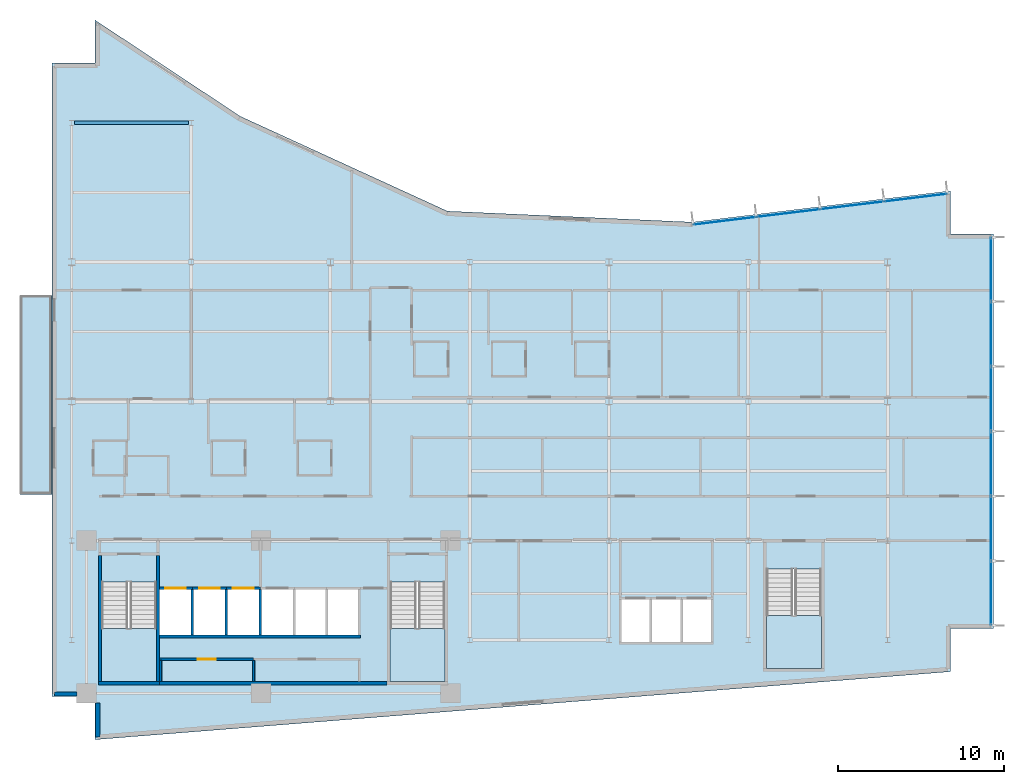
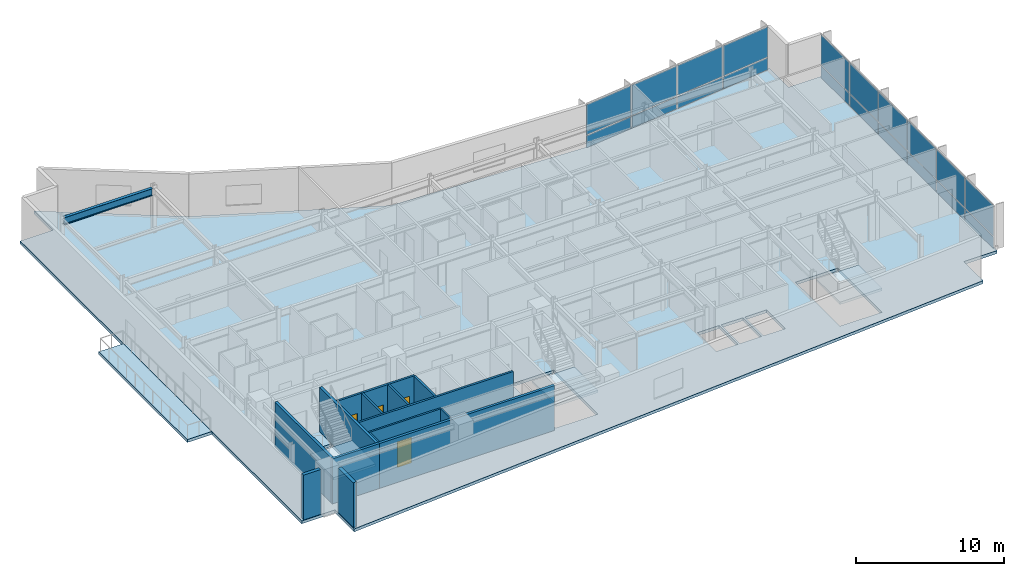
# One storey, part 9 of 18: 20 plates, 16 walls, 5 slabs, 4 doors, 1 beam, 4 openings, 5 elements without a shape of their own.
"""IFC4 building model written with IfcOpenShell, lengths in metres."""

from ifc_helpers import new_model, si_unit, direction, frame, frame_2d, origin, origin_2d, place, context, subcontext, project, spatial, polyline, rectangle, i_section, outline, extrude, material, layer, layer_set, material_profile, profile_set, type_object, element, fill, aggregate, save


model = new_model("IFC4")

# Units and contexts
model_context = context("Model", 3, precision=1e-05, world=origin(), true_north=direction((0.0, 1.0)))
body_context = subcontext(model_context, "Body", "Model", "MODEL_VIEW")
ifc_project = project(units=[si_unit("LENGTHUNIT", "METRE"), si_unit("AREAUNIT", "SQUARE_METRE"), si_unit("VOLUMEUNIT", "CUBIC_METRE"), si_unit("PLANEANGLEUNIT", "RADIAN"), si_unit("MASSUNIT", "GRAM", prefix="KILO")], contexts=[model_context])

# Site, building, storey
site_placement = place(None, origin())
site = spatial("IfcSite", under=ifc_project, at=site_placement, CompositionType="ELEMENT")
building_placement = place(site_placement, origin())
building = spatial("IfcBuilding", under=site, at=building_placement, Name="Varnakote Quay Hospital", CompositionType="ELEMENT")
storey_placement = place(building_placement, frame((0.0, 0.0, 123.10009765625)))
storey = spatial("IfcBuildingStorey", under=building, at=storey_placement, Name="L30", CompositionType="ELEMENT", Elevation=123.10009765625)

# Beam
ifc_material_1 = material(Name="Structural steel AS/NZS 3679.1 Grade 350 L0 (fy 340 MPa)", Category="steel")
ifc_material_profile = material_profile(ifc_material_1, i_section(OverallWidth=0.22802734375, OverallDepth=0.60205078125, WebThickness=0.010498046875, FlangeThickness=0.014892578125, FilletRadius=0.013916015625, at=origin_2d()), Name="610UB101")
ifc_profile_set = profile_set([ifc_material_profile], Name="Structural steel AS/NZS 3679.1 Grade 350 L0 (fy 340 MPa)")
beam_type = type_object("IfcBeamType", Name="BM-STL-610UB101", PredefinedType="BEAM", material=ifc_profile_set)
beam_placement = place(storey_placement, frame((1.3544921875, 37.199951171875, 3.408935546875), z_axis=(1.0, 0.0, 0.0), x_axis=(0.0, 1.0, 0.0)))
element("IfcBeam", 1, at=beam_placement, inside=storey, type_object=beam_type, Name="L30 Primary Floor Beam", PredefinedType="BEAM", context=body_context, shape_type="SweptSolid", body=[
    extrude(i_section(OverallWidth=0.22802734375, OverallDepth=0.60205078125, WebThickness=0.010498046875, FlangeThickness=0.014892578125, FilletRadius=0.013916015625, at=origin_2d()), origin(), (0.0, 0.0, 1.0), 6.89111328125),
])

# Curtain wall, plates
ifc_material_2 = material(Name="Anodised aluminium 6063-T6 Bronze", Category="aluminium")
ifc_layer_1 = layer(ifc_material_2, 0.205078125)
ifc_layer_set_1 = layer_set([ifc_layer_1], Name="Anodised aluminium 6063-T6 Bronze")
curtain_wall_type = type_object("IfcCurtainWallType", Name="CW-SYS-3", PredefinedType="NOTDEFINED", material=ifc_layer_set_1)
curtain_wall_1_placement = place(storey_placement, origin())
curtain_wall_1 = element("IfcCurtainWall", 2, at=curtain_wall_1_placement, inside=storey, type_object=curtain_wall_type, Name="L30 Unitised Bronze Curtain Wall 1", PredefinedType="NOTDEFINED")
ifc_material_3 = material(Name="Double-glazed low-E solar glass", Category="glass")
ifc_layer_2 = layer(ifc_material_3, 0.028076171875)
ifc_layer_set_2 = layer_set([ifc_layer_2], Name="Double-glazed low-E solar glass")
plate_type = type_object("IfcPlateType", Name="CW-PNL-GLZ-28", PredefinedType="CURTAIN_PANEL", material=ifc_layer_set_2)
plate_1_placement = place(storey_placement, frame((56.639892578125, 8.83544921875, 0.07470703125), z_axis=(0.0, 0.0, 1.0), x_axis=(0.0, 1.0, 0.0)))
plate_1 = element("IfcPlate", 3, at=plate_1_placement, type_object=plate_type, Name="-3-L30-1 panel 1.1", PredefinedType="CURTAIN_PANEL", context=body_context, shape_type="SweptSolid", body=[
    extrude(rectangle(XDim=3.80078125, YDim=0.028076171875, at=origin_2d()), origin(), (0.0, 0.0, 1.0), 0.987548828125),
])
plate_2_placement = place(storey_placement, frame((56.639892578125, 8.83544921875, 1.137451171875), z_axis=(0.0, 0.0, 1.0), x_axis=(0.0, 1.0, 0.0)))
plate_2 = element("IfcPlate", 4, at=plate_2_placement, type_object=plate_type, Name="-3-L30-1 panel 1.2", PredefinedType="CURTAIN_PANEL", context=body_context, shape_type="SweptSolid", body=[
    extrude(rectangle(XDim=3.80078125, YDim=0.028076171875, at=origin_2d()), origin(), (0.0, 0.0, 1.0), 2.49755859375),
])
plate_3_placement = place(storey_placement, frame((56.639892578125, 12.72998046875, 0.07470703125), z_axis=(0.0, 0.0, 1.0), x_axis=(0.0, 1.0, 0.0)))
plate_3 = element("IfcPlate", 5, at=plate_3_placement, type_object=plate_type, Name="-3-L30-1 panel 2.1", PredefinedType="CURTAIN_PANEL", context=body_context, shape_type="SweptSolid", body=[
    extrude(rectangle(XDim=3.83837890625, YDim=0.028076171875, at=origin_2d()), origin(), (0.0, 0.0, 1.0), 0.987548828125),
])
plate_4_placement = place(storey_placement, frame((56.639892578125, 12.72998046875, 1.137451171875), z_axis=(0.0, 0.0, 1.0), x_axis=(0.0, 1.0, 0.0)))
plate_4 = element("IfcPlate", 6, at=plate_4_placement, type_object=plate_type, Name="-3-L30-1 panel 2.2", PredefinedType="CURTAIN_PANEL", context=body_context, shape_type="SweptSolid", body=[
    extrude(rectangle(XDim=3.83837890625, YDim=0.028076171875, at=origin_2d()), origin(), (0.0, 0.0, 1.0), 2.49755859375),
])
plate_5_placement = place(storey_placement, frame((56.639892578125, 16.643310546875, 0.07470703125), z_axis=(0.0, 0.0, 1.0), x_axis=(0.0, 1.0, 0.0)))
plate_5 = element("IfcPlate", 7, at=plate_5_placement, type_object=plate_type, Name="-3-L30-1 panel 3.1", PredefinedType="CURTAIN_PANEL", context=body_context, shape_type="SweptSolid", body=[
    extrude(rectangle(XDim=3.83837890625, YDim=0.028076171875, at=origin_2d()), origin(), (0.0, 0.0, 1.0), 0.987548828125),
])
plate_6_placement = place(storey_placement, frame((56.639892578125, 16.643310546875, 1.137451171875), z_axis=(0.0, 0.0, 1.0), x_axis=(0.0, 1.0, 0.0)))
plate_6 = element("IfcPlate", 8, at=plate_6_placement, type_object=plate_type, Name="-3-L30-1 panel 3.2", PredefinedType="CURTAIN_PANEL", context=body_context, shape_type="SweptSolid", body=[
    extrude(rectangle(XDim=3.83837890625, YDim=0.028076171875, at=origin_2d()), origin(), (0.0, 0.0, 1.0), 2.49755859375),
])
plate_7_placement = place(storey_placement, frame((56.639892578125, 20.556640625, 0.07470703125), z_axis=(0.0, 0.0, 1.0), x_axis=(0.0, 1.0, 0.0)))
plate_7 = element("IfcPlate", 9, at=plate_7_placement, type_object=plate_type, Name="-3-L30-1 panel 4.1", PredefinedType="CURTAIN_PANEL", context=body_context, shape_type="SweptSolid", body=[
    extrude(rectangle(XDim=3.83837890625, YDim=0.028076171875, at=origin_2d()), origin(), (0.0, 0.0, 1.0), 0.987548828125),
])
plate_8_placement = place(storey_placement, frame((56.639892578125, 20.556640625, 1.137451171875), z_axis=(0.0, 0.0, 1.0), x_axis=(0.0, 1.0, 0.0)))
plate_8 = element("IfcPlate", 10, at=plate_8_placement, type_object=plate_type, Name="-3-L30-1 panel 4.2", PredefinedType="CURTAIN_PANEL", context=body_context, shape_type="SweptSolid", body=[
    extrude(rectangle(XDim=3.83837890625, YDim=0.028076171875, at=origin_2d()), origin(), (0.0, 0.0, 1.0), 2.49755859375),
])
plate_9_placement = place(storey_placement, frame((56.639892578125, 24.469970703125, 0.07470703125), z_axis=(0.0, 0.0, 1.0), x_axis=(0.0, 1.0, 0.0)))
plate_9 = element("IfcPlate", 11, at=plate_9_placement, type_object=plate_type, Name="-3-L30-1 panel 5.1", PredefinedType="CURTAIN_PANEL", context=body_context, shape_type="SweptSolid", body=[
    extrude(rectangle(XDim=3.83837890625, YDim=0.028076171875, at=origin_2d()), origin(), (0.0, 0.0, 1.0), 0.987548828125),
])
plate_10_placement = place(storey_placement, frame((56.639892578125, 24.469970703125, 1.137451171875), z_axis=(0.0, 0.0, 1.0), x_axis=(0.0, 1.0, 0.0)))
plate_10 = element("IfcPlate", 12, at=plate_10_placement, type_object=plate_type, Name="-3-L30-1 panel 5.2", PredefinedType="CURTAIN_PANEL", context=body_context, shape_type="SweptSolid", body=[
    extrude(rectangle(XDim=3.83837890625, YDim=0.028076171875, at=origin_2d()), origin(), (0.0, 0.0, 1.0), 2.49755859375),
])
plate_11_placement = place(storey_placement, frame((56.639892578125, 28.364501953125, 0.07470703125), z_axis=(0.0, 0.0, 1.0), x_axis=(0.0, 1.0, 0.0)))
plate_11 = element("IfcPlate", 13, at=plate_11_placement, type_object=plate_type, Name="-3-L30-1 panel 6.1", PredefinedType="CURTAIN_PANEL", context=body_context, shape_type="SweptSolid", body=[
    extrude(rectangle(XDim=3.80078125, YDim=0.028076171875, at=origin_2d()), origin(), (0.0, 0.0, 1.0), 0.987548828125),
])
plate_12_placement = place(storey_placement, frame((56.639892578125, 28.364501953125, 1.137451171875), z_axis=(0.0, 0.0, 1.0), x_axis=(0.0, 1.0, 0.0)))
plate_12 = element("IfcPlate", 14, at=plate_12_placement, type_object=plate_type, Name="-3-L30-1 panel 6.2", PredefinedType="CURTAIN_PANEL", context=body_context, shape_type="SweptSolid", body=[
    extrude(rectangle(XDim=3.80078125, YDim=0.028076171875, at=origin_2d()), origin(), (0.0, 0.0, 1.0), 2.49755859375),
])
aggregate(curtain_wall_1, [plate_1, plate_2, plate_3, plate_4, plate_5, plate_6, plate_7, plate_8, plate_9, plate_10, plate_11, plate_12])

curtain_wall_2_placement = place(storey_placement, origin())
curtain_wall_2 = element("IfcCurtainWall", 15, at=curtain_wall_2_placement, inside=storey, type_object=curtain_wall_type, Name="L30 Unitised Bronze Curtain Wall 2", PredefinedType="NOTDEFINED")
plate_13_placement = place(storey_placement, frame((52.09521484375, 32.68359375, 0.07470703125), z_axis=(0.0, 0.0, 1.0), x_axis=(-0.992734295067, -0.12032713492, 0.0)))
plate_13 = element("IfcPlate", 16, at=plate_13_placement, type_object=plate_type, Name="-3-L30-2 panel 1.1", PredefinedType="CURTAIN_PANEL", context=body_context, shape_type="SweptSolid", body=[
    extrude(rectangle(XDim=3.76806640625, YDim=0.028076171875, at=origin_2d()), origin(), (0.0, 0.0, 1.0), 0.987548828125),
])
plate_14_placement = place(storey_placement, frame((52.09521484375, 32.68359375, 1.137451171875), z_axis=(0.0, 0.0, 1.0), x_axis=(-0.992734295067, -0.12032713492, 0.0)))
plate_14 = element("IfcPlate", 17, at=plate_14_placement, type_object=plate_type, Name="-3-L30-2 panel 1.2", PredefinedType="CURTAIN_PANEL", context=body_context, shape_type="SweptSolid", body=[
    extrude(rectangle(XDim=3.76806640625, YDim=0.028076171875, at=origin_2d()), origin(), (0.0, 0.0, 1.0), 2.49755859375),
])
plate_15_placement = place(storey_placement, frame((48.26123046875, 32.218994140625, 0.07470703125), z_axis=(0.0, 0.0, 1.0), x_axis=(-0.992734295067, -0.12032713492, 0.0)))
plate_15 = element("IfcPlate", 18, at=plate_15_placement, type_object=plate_type, Name="-3-L30-2 panel 2.1", PredefinedType="CURTAIN_PANEL", context=body_context, shape_type="SweptSolid", body=[
    extrude(rectangle(XDim=3.8056640625, YDim=0.028076171875, at=origin_2d()), origin(), (0.0, 0.0, 1.0), 0.987548828125),
])
plate_16_placement = place(storey_placement, frame((48.26123046875, 32.218994140625, 1.137451171875), z_axis=(0.0, 0.0, 1.0), x_axis=(-0.992734295067, -0.12032713492, 0.0)))
plate_16 = element("IfcPlate", 19, at=plate_16_placement, type_object=plate_type, Name="-3-L30-2 panel 2.2", PredefinedType="CURTAIN_PANEL", context=body_context, shape_type="SweptSolid", body=[
    extrude(rectangle(XDim=3.8056640625, YDim=0.028076171875, at=origin_2d()), origin(), (0.0, 0.0, 1.0), 2.49755859375),
])
plate_17_placement = place(storey_placement, frame((44.40869140625, 31.751953125, 0.07470703125), z_axis=(0.0, 0.0, 1.0), x_axis=(-0.992734295067, -0.12032713492, 0.0)))
plate_17 = element("IfcPlate", 20, at=plate_17_placement, type_object=plate_type, Name="-3-L30-2 panel 3.1", PredefinedType="CURTAIN_PANEL", context=body_context, shape_type="SweptSolid", body=[
    extrude(rectangle(XDim=3.8056640625, YDim=0.028076171875, at=origin_2d()), origin(), (0.0, 0.0, 1.0), 0.987548828125),
])
plate_18_placement = place(storey_placement, frame((44.40869140625, 31.751953125, 1.137451171875), z_axis=(0.0, 0.0, 1.0), x_axis=(-0.992734295067, -0.12032713492, 0.0)))
plate_18 = element("IfcPlate", 21, at=plate_18_placement, type_object=plate_type, Name="-3-L30-2 panel 3.2", PredefinedType="CURTAIN_PANEL", context=body_context, shape_type="SweptSolid", body=[
    extrude(rectangle(XDim=3.8056640625, YDim=0.028076171875, at=origin_2d()), origin(), (0.0, 0.0, 1.0), 2.49755859375),
])
plate_19_placement = place(storey_placement, frame((40.574951171875, 31.287353515625, 0.07470703125), z_axis=(0.0, 0.0, 1.0), x_axis=(-0.992734295067, -0.12032713492, 0.0)))
plate_19 = element("IfcPlate", 22, at=plate_19_placement, type_object=plate_type, Name="-3-L30-2 panel 4.1", PredefinedType="CURTAIN_PANEL", context=body_context, shape_type="SweptSolid", body=[
    extrude(rectangle(XDim=3.76806640625, YDim=0.028076171875, at=origin_2d()), origin(), (0.0, 0.0, 1.0), 0.987548828125),
])
plate_20_placement = place(storey_placement, frame((40.574951171875, 31.287353515625, 1.137451171875), z_axis=(0.0, 0.0, 1.0), x_axis=(-0.992734295067, -0.12032713492, 0.0)))
plate_20 = element("IfcPlate", 23, at=plate_20_placement, type_object=plate_type, Name="-3-L30-2 panel 4.2", PredefinedType="CURTAIN_PANEL", context=body_context, shape_type="SweptSolid", body=[
    extrude(rectangle(XDim=3.76806640625, YDim=0.028076171875, at=origin_2d()), origin(), (0.0, 0.0, 1.0), 2.49755859375),
])
aggregate(curtain_wall_2, [plate_13, plate_14, plate_15, plate_16, plate_17, plate_18, plate_19, plate_20])

# Stair, slab
ifc_material_4 = material(Name="Concrete N40 (f'c 40 MPa)", Category="concrete")
stair_type = type_object("IfcStairType", Name="STR-CORE-1580", PredefinedType="HALF_TURN_STAIR", material=ifc_material_4)
stair_1_placement = place(storey_placement, origin())
stair_1 = element("IfcStair", 24, at=stair_1_placement, inside=storey, type_object=stair_type, Name="L30 Fire-Isolated Exit Stair ST-01", PredefinedType="HALF_TURN_STAIR")
ifc_material_5 = material(Name="Concrete N40 (f'c 40 MPa)", Category="concrete")
ifc_layer_3 = layer(ifc_material_5, 0.199951171875)
ifc_layer_set_3 = layer_set([ifc_layer_3], Name="Concrete N40 (f'c 40 MPa)")
slab_type_1 = type_object("IfcSlabType", Name="SLB-STAIR-LND-200", PredefinedType="LANDING", material=ifc_layer_set_3)
slab_1_placement = place(storey_placement, frame((0.0, 0.0, 1.77490234375)))
slab_1 = element("IfcSlab", 25, at=slab_1_placement, type_object=slab_type_1, Name="ST-01 landing 1", PredefinedType="LANDING", context=body_context, shape_type="SweptSolid", body=[
    extrude(outline(polyline([(3.0, 6.699951171875), (3.0, 3.5), (6.300048828125, 3.5), (6.300048828125, 6.699951171875), (3.0, 6.699951171875)])), origin(), (0.0, 0.0, 1.0), 0.199951171875),
])
aggregate(stair_1, [slab_1])

stair_2_placement = place(storey_placement, origin())
stair_2 = element("IfcStair", 26, at=stair_2_placement, inside=storey, type_object=stair_type, Name="L30 Fire-Isolated Exit Stair ST-02", PredefinedType="HALF_TURN_STAIR")
slab_2_placement = place(storey_placement, frame((0.0, 0.0, 1.77490234375)))
slab_2 = element("IfcSlab", 27, at=slab_2_placement, type_object=slab_type_1, Name="ST-02 landing 1", PredefinedType="LANDING", context=body_context, shape_type="SweptSolid", body=[
    extrude(outline(polyline([(20.39990234375, 6.699951171875), (20.39990234375, 3.5), (23.699951171875, 3.5), (23.699951171875, 6.699951171875), (20.39990234375, 6.699951171875)])), origin(), (0.0, 0.0, 1.0), 0.199951171875),
])
aggregate(stair_2, [slab_2])

stair_3_placement = place(storey_placement, origin())
stair_3 = element("IfcStair", 28, at=stair_3_placement, inside=storey, type_object=stair_type, Name="L30 Fire-Isolated Exit Stair ST-03", PredefinedType="HALF_TURN_STAIR")
slab_3_placement = place(storey_placement, frame((0.0, 0.0, 1.77490234375)))
slab_3 = element("IfcSlab", 29, at=slab_3_placement, type_object=slab_type_1, Name="ST-03 landing 1", PredefinedType="LANDING", context=body_context, shape_type="SweptSolid", body=[
    extrude(outline(polyline([(43.10009765625, 7.5), (43.10009765625, 4.300048828125), (46.39990234375, 4.300048828125), (46.39990234375, 7.5), (43.10009765625, 7.5)])), origin(), (0.0, 0.0, 1.0), 0.199951171875),
])
aggregate(stair_3, [slab_3])

# Slabs
ifc_material_6 = material(Name="Concrete N50 (f'c 50 MPa)", Category="concrete")
ifc_layer_4 = layer(ifc_material_6, 0.239990234375)
ifc_layer_set_4 = layer_set([ifc_layer_4], Name="Concrete N50 (f'c 50 MPa)")
slab_type_2 = type_object("IfcSlabType", Name="SLB-TERR-200", PredefinedType="FLOOR", material=ifc_layer_set_4)
slab_4_placement = place(storey_placement, frame((0.0, 0.0, -0.239990234375)))
element("IfcSlab", 30, at=slab_4_placement, inside=storey, type_object=slab_type_2, Name="L30 Waterfront Healing Terrace Slab", PredefinedType="FLOOR", context=body_context, shape_type="SweptSolid", body=[
    extrude(outline(polyline([(0.00390625, 14.800048828125), (0.00390625, 26.800048828125), (-1.919921875, 26.800048828125), (-1.919921875, 14.800048828125), (0.00390625, 14.800048828125)])), origin(), (0.0, 0.0, 1.0), 0.239990234375),
])
ifc_material_7 = material(Name="Concrete N50 (f'c 50 MPa)", Category="concrete")
ifc_layer_5 = layer(ifc_material_7, 0.239990234375)
ifc_layer_set_5 = layer_set([ifc_layer_5], Name="Concrete N50 (f'c 50 MPa)")
slab_type_3 = type_object("IfcSlabType", Name="SLB-WARD-200", PredefinedType="FLOOR", material=ifc_layer_set_5)
slab_5_placement = place(storey_placement, frame((0.0, 0.0, -0.239990234375)))
element("IfcSlab", 31, at=slab_5_placement, inside=storey, type_object=slab_type_3, Name="L30 Primary Floor Slab", PredefinedType="FLOOR", context=body_context, shape_type="SweptSolid", body=[
    extrude(outline(polyline([(0.0, 2.60009765625), (2.60009765625, 2.60009765625), (2.60009765625, 0.0), (54.199951171875, 4.10009765625), (54.199951171875, 6.699951171875), (56.800048828125, 6.699951171875), (56.800048828125, 30.5), (54.199951171875, 30.5), (54.199951171875, 33.10009765625), (38.6240234375, 31.2119140625), (23.85595703125, 31.8740234375), (11.360107421875, 37.595947265625), (2.60009765625, 43.39990234375), (2.60009765625, 40.800048828125), (0.0, 40.800048828125), (0.0, 2.60009765625)]), holes=[polyline([(3.0, 3.5), (6.300048828125, 3.5), (6.300048828125, 9.49951171875), (3.0, 9.49951171875), (3.0, 3.5)]), polyline([(20.39990234375, 3.5), (23.699951171875, 3.5), (23.699951171875, 9.49951171875), (20.39990234375, 9.49951171875), (20.39990234375, 3.5)]), polyline([(43.10009765625, 4.300048828125), (46.39990234375, 4.300048828125), (46.39990234375, 10.29931640625), (43.10009765625, 10.29931640625), (43.10009765625, 4.300048828125)]), polyline([(6.5, 6.300048828125), (8.39990234375, 6.300048828125), (8.39990234375, 9.050048828125), (6.5, 9.050048828125), (6.5, 6.300048828125)]), polyline([(8.550048828125, 6.300048828125), (10.449951171875, 6.300048828125), (10.449951171875, 9.050048828125), (8.550048828125, 9.050048828125), (8.550048828125, 6.300048828125)]), polyline([(10.60009765625, 6.300048828125), (12.5, 6.300048828125), (12.5, 9.050048828125), (10.60009765625, 9.050048828125), (10.60009765625, 6.300048828125)]), polyline([(12.64990234375, 6.300048828125), (14.550048828125, 6.300048828125), (14.550048828125, 9.050048828125), (12.64990234375, 9.050048828125), (12.64990234375, 6.300048828125)]), polyline([(14.699951171875, 6.300048828125), (16.5, 6.300048828125), (16.5, 9.050048828125), (14.699951171875, 9.050048828125), (14.699951171875, 6.300048828125)]), polyline([(16.64990234375, 6.300048828125), (18.449951171875, 6.300048828125), (18.449951171875, 9.050048828125), (16.64990234375, 9.050048828125), (16.64990234375, 6.300048828125)]), polyline([(34.35009765625, 5.89990234375), (36.050048828125, 5.89990234375), (36.050048828125, 8.449951171875), (34.35009765625, 8.449951171875), (34.35009765625, 5.89990234375)]), polyline([(36.199951171875, 5.89990234375), (37.89990234375, 5.89990234375), (37.89990234375, 8.449951171875), (36.199951171875, 8.449951171875), (36.199951171875, 5.89990234375)]), polyline([(38.050048828125, 5.89990234375), (39.75, 5.89990234375), (39.75, 8.449951171875), (38.050048828125, 8.449951171875), (38.050048828125, 5.89990234375)])]), origin(), (0.0, 0.0, 1.0), 0.239990234375),
])

# Walls
ifc_material_8 = material(Name="Concrete N65 (f'c 65 MPa)", Category="concrete")
ifc_layer_6 = layer(ifc_material_8, 0.199951171875)
ifc_layer_set_6 = layer_set([ifc_layer_6], Name="Concrete N65 (f'c 65 MPa)")
wall_type_1 = type_object("IfcWallType", Name="WL-CORE-N65-200", PredefinedType="SHEAR", material=ifc_layer_set_6)
wall_1_placement = place(storey_placement, frame((6.5, 3.39990234375, 0.0), z_axis=(0.0, 0.0, 1.0), x_axis=(1.0, 0.0, 0.0)))
element("IfcWall", 32, at=wall_1_placement, inside=storey, type_object=wall_type_1, Name="L30 Rear Core South Shear Wall", PredefinedType="SHEAR", context=body_context, shape_type="SweptSolid", body=[
    extrude(rectangle(XDim=13.699951171875, YDim=0.199951171875, at=frame_2d((6.85009765625, 0.0))), origin(), (0.0, 0.0, 1.0), 3.7099609375),
])
ifc_material_9 = material(Name="Precast concrete N50 (f'c 50 MPa)", Category="concrete")
ifc_layer_7 = layer(ifc_material_9, 0.260009765625)
ifc_layer_set_7 = layer_set([ifc_layer_7], Name="Precast concrete N50 (f'c 50 MPa)")
wall_type_2 = type_object("IfcWallType", Name="WL-EXT-BRICK-260", PredefinedType="STANDARD", material=ifc_layer_set_7)
wall_2_placement = place(storey_placement, frame((2.760009765625, 2.215087890625, 0.0), z_axis=(0.0, 0.0, 1.0), x_axis=(0.0, -1.0, 0.0)))
element("IfcWall", 33, at=wall_2_placement, inside=storey, type_object=wall_type_2, Name="L30 Brick-Faced Precast Exterior Wall", PredefinedType="STANDARD", context=body_context, shape_type="SweptSolid", body=[
    extrude(rectangle(XDim=2.0419921875, YDim=0.260009765625, at=frame_2d((1.02099609375, 0.0))), origin(), (0.0, 0.0, 1.0), 3.7099609375),
])
wall_3_placement = place(storey_placement, frame((0.159912109375, 2.760009765625, 0.0), z_axis=(0.0, 0.0, 1.0), x_axis=(1.0, 0.0, 0.0)))
element("IfcWall", 34, at=wall_3_placement, inside=storey, type_object=wall_type_2, Name="L30 Brick-Faced Precast Exterior Wall", PredefinedType="STANDARD", context=body_context, shape_type="SweptSolid", body=[
    extrude(rectangle(XDim=1.35498046875, YDim=0.260009765625, at=frame_2d((0.677490234375, 0.0))), origin(), (0.0, 0.0, 1.0), 3.7099609375),
])
ifc_material_10 = material(Name="Concrete N50 (f'c 50 MPa)", Category="concrete")
ifc_layer_8 = layer(ifc_material_10, 0.14990234375)
ifc_layer_set_8 = layer_set([ifc_layer_8], Name="Concrete N50 (f'c 50 MPa)")
wall_type_3 = type_object("IfcWallType", Name="WL-SHAFT-N50-150", PredefinedType="SHEAR", material=ifc_layer_set_8)
for number, where, z_axis, x_axis, name in (
    (35, (8.47509765625, 6.300048828125, 0.0), (0.0, 0.0, 1.0), (0.0, 1.0, 0.0), "L30 LF-FF1 Hoistway Divider Wall"),
    (36, (10.52490234375, 6.300048828125, 0.0), (0.0, 0.0, 1.0), (0.0, 1.0, 0.0), "L30 LF-FF2 Hoistway Divider Wall"),
    (37, (12.574951171875, 6.300048828125, 0.0), (0.0, 0.0, 1.0), (0.0, 1.0, 0.0), "L30 LF-SV1 Hoistway Divider Wall"),
):
    element("IfcWall", number, at=place(storey_placement, frame(where, z_axis=z_axis, x_axis=x_axis)), inside=storey, type_object=wall_type_3, Name=name, PredefinedType="SHEAR", context=body_context, shape_type="SweptSolid", body=[
        extrude(rectangle(XDim=2.75, YDim=0.14990234375, at=frame_2d((1.375, 0.0))), origin(), (0.0, 0.0, 1.0), 3.7099609375),
    ])
ifc_material_11 = material(Name="Concrete N50 (f'c 50 MPa)", Category="concrete")
ifc_layer_9 = layer(ifc_material_11, 0.159912109375)
ifc_layer_set_9 = layer_set([ifc_layer_9], Name="Concrete N50 (f'c 50 MPa)")
wall_type_4 = type_object("IfcWallType", Name="WL-SHAFT-N50-160", PredefinedType="SHEAR", material=ifc_layer_set_9)
wall_4_placement = place(storey_placement, frame((6.5, 6.219970703125, 0.0), z_axis=(0.0, 0.0, 1.0), x_axis=(1.0, 0.0, 0.0)))
element("IfcWall", 38, at=wall_4_placement, inside=storey, type_object=wall_type_4, Name="L30 REAR Lift Bank Back Shear Wall", PredefinedType="SHEAR", context=body_context, shape_type="SweptSolid", body=[
    extrude(rectangle(XDim=12.110107421875, YDim=0.159912109375, at=frame_2d((6.05517578125, 0.0))), origin(), (0.0, 0.0, 1.0), 3.7099609375),
])

# Wall, opening, door
wall_5_placement = place(storey_placement, frame((6.5, 9.1298828125, 0.0), z_axis=(0.0, 0.0, 1.0), x_axis=(1.0, 0.0, 0.0)))
wall_5 = element("IfcWall", 39, at=wall_5_placement, inside=storey, type_object=wall_type_4, Name="L30 LF-FF1 Hoistway Front Wall", PredefinedType="SHEAR", context=body_context, shape_type="SweptSolid", body=[
    extrude(rectangle(XDim=1.97509765625, YDim=0.159912109375, at=frame_2d((0.987548828125, 0.0))), origin(), (0.0, 0.0, 1.0), 3.7099609375),
])
opening_1_placement = place(wall_5_placement, frame((0.324951171875, 0.0, 0.0)))
opening_1 = element("IfcOpeningElement", 40, at=opening_1_placement, cuts=wall_5, Name="Opening LD-FF1-L30", PredefinedType="OPENING", context=body_context, shape_type="SweptSolid", body=[
    extrude(rectangle(XDim=1.25, YDim=2.14990234375, at=frame_2d((0.625, 1.074951171875))), frame((0.0, 0.08984375, 0.0), z_axis=(0.0, -1.0, 0.0), x_axis=(1.0, 0.0, 0.0)), (0.0, 0.0, 1.0), 0.179931640625),
])
ifc_material_12 = material(Name="Stainless steel lift landing sliding door", Category="steel")
door_type_1 = type_object("IfcDoorType", Name="DR-LIFT-LD-1250x2150", OperationType="NOTDEFINED", PredefinedType="DOOR", material=ifc_material_12)
door_1_placement = place(opening_1_placement, origin())
door_1 = element("IfcDoor", 41, at=door_1_placement, inside=storey, type_object=door_type_1, Name="L30 LF-FF1 Lift Landing Sliding Door", OperationType="SLIDING_TO_LEFT", OverallHeight=2.14990234375, OverallWidth=1.25, PredefinedType="DOOR", context=body_context, shape_type="SweptSolid", body=[
    extrude(rectangle(XDim=1.25, YDim=2.14990234375, at=frame_2d((0.625, 1.074951171875))), frame((0.0, 0.02490234375, 0.0), z_axis=(0.0, -1.0, 0.0), x_axis=(1.0, 0.0, 0.0)), (0.0, 0.0, 1.0), 0.050048828125),
])
fill(opening_1, door_1)

wall_6_placement = place(storey_placement, frame((8.47509765625, 9.1298828125, 0.0), z_axis=(0.0, 0.0, 1.0), x_axis=(1.0, 0.0, 0.0)))
wall_6 = element("IfcWall", 42, at=wall_6_placement, inside=storey, type_object=wall_type_4, Name="L30 LF-FF2 Hoistway Front Wall", PredefinedType="SHEAR", context=body_context, shape_type="SweptSolid", body=[
    extrude(rectangle(XDim=2.0498046875, YDim=0.159912109375, at=frame_2d((1.02490234375, 0.0))), origin(), (0.0, 0.0, 1.0), 3.7099609375),
])
opening_2_placement = place(wall_6_placement, frame((0.39990234375, 0.0, 0.0)))
opening_2 = element("IfcOpeningElement", 43, at=opening_2_placement, cuts=wall_6, Name="Opening LD-FF2-L30", PredefinedType="OPENING", context=body_context, shape_type="SweptSolid", body=[
    extrude(rectangle(XDim=1.25, YDim=2.14990234375, at=frame_2d((0.625, 1.074951171875))), frame((0.0, 0.08984375, 0.0), z_axis=(0.0, -1.0, 0.0), x_axis=(1.0, 0.0, 0.0)), (0.0, 0.0, 1.0), 0.179931640625),
])
door_2_placement = place(opening_2_placement, origin())
door_2 = element("IfcDoor", 44, at=door_2_placement, inside=storey, type_object=door_type_1, Name="L30 LF-FF2 Lift Landing Sliding Door", OperationType="SLIDING_TO_LEFT", OverallHeight=2.14990234375, OverallWidth=1.25, PredefinedType="DOOR", context=body_context, shape_type="SweptSolid", body=[
    extrude(rectangle(XDim=1.25, YDim=2.14990234375, at=frame_2d((0.625, 1.074951171875))), frame((0.0, 0.02490234375, 0.0), z_axis=(0.0, -1.0, 0.0), x_axis=(1.0, 0.0, 0.0)), (0.0, 0.0, 1.0), 0.050048828125),
])
fill(opening_2, door_2)

wall_7_placement = place(storey_placement, frame((10.52490234375, 9.1298828125, 0.0), z_axis=(0.0, 0.0, 1.0), x_axis=(1.0, 0.0, 0.0)))
wall_7 = element("IfcWall", 45, at=wall_7_placement, inside=storey, type_object=wall_type_4, Name="L30 LF-SV1 Hoistway Front Wall", PredefinedType="SHEAR", context=body_context, shape_type="SweptSolid", body=[
    extrude(rectangle(XDim=2.050048828125, YDim=0.159912109375, at=frame_2d((1.02490234375, 0.0))), origin(), (0.0, 0.0, 1.0), 3.7099609375),
])
opening_3_placement = place(wall_7_placement, frame((0.39990234375, 0.0, 0.0)))
opening_3 = element("IfcOpeningElement", 46, at=opening_3_placement, cuts=wall_7, Name="Opening LD-SV1-L30", PredefinedType="OPENING", context=body_context, shape_type="SweptSolid", body=[
    extrude(rectangle(XDim=1.25, YDim=2.14990234375, at=frame_2d((0.625, 1.074951171875))), frame((0.0, 0.08984375, 0.0), z_axis=(0.0, -1.0, 0.0), x_axis=(1.0, 0.0, 0.0)), (0.0, 0.0, 1.0), 0.179931640625),
])
door_3_placement = place(opening_3_placement, origin())
door_3 = element("IfcDoor", 47, at=door_3_placement, inside=storey, type_object=door_type_1, Name="L30 LF-SV1 Lift Landing Sliding Door", OperationType="SLIDING_TO_LEFT", OverallHeight=2.14990234375, OverallWidth=1.25, PredefinedType="DOOR", context=body_context, shape_type="SweptSolid", body=[
    extrude(rectangle(XDim=1.25, YDim=2.14990234375, at=frame_2d((0.625, 1.074951171875))), frame((0.0, 0.02490234375, 0.0), z_axis=(0.0, -1.0, 0.0), x_axis=(1.0, 0.0, 0.0)), (0.0, 0.0, 1.0), 0.050048828125),
])
fill(opening_3, door_3)

# Walls
ifc_material_13 = material(Name="Concrete N50 (f'c 50 MPa)", Category="concrete")
ifc_layer_10 = layer(ifc_material_13, 0.199951171875)
ifc_layer_set_10 = layer_set([ifc_layer_10], Name="Concrete N50 (f'c 50 MPa)")
wall_type_5 = type_object("IfcWallType", Name="WL-SHAFT-N50-200", PredefinedType="SHEAR", material=ifc_layer_set_10)
wall_8_placement = place(storey_placement, frame((2.800048828125, 3.39990234375, 0.0), z_axis=(0.0, 0.0, 1.0), x_axis=(1.0, 0.0, 0.0)))
element("IfcWall", 48, at=wall_8_placement, inside=storey, type_object=wall_type_5, Name="L30 Stair ST1 South Shaft Wall", PredefinedType="SHEAR", context=body_context, shape_type="SweptSolid", body=[
    extrude(rectangle(XDim=3.699951171875, YDim=0.199951171875, at=frame_2d((1.85009765625, 0.0))), origin(), (0.0, 0.0, 1.0), 3.7099609375),
])
for number, where, z_axis, x_axis, name in (
    (49, (2.89990234375, 3.5, 0.0), (0.0, 0.0, 1.0), (0.0, 1.0, 0.0), "L30 Stair ST1 West Shaft Wall"),
    (50, (6.39990234375, 3.5, 0.0), (0.0, 0.0, 1.0), (0.0, 1.0, 0.0), "L30 Stair ST1 East Shaft Wall"),
):
    element("IfcWall", number, at=place(storey_placement, frame(where, z_axis=z_axis, x_axis=x_axis)), inside=storey, type_object=wall_type_5, Name=name, PredefinedType="SHEAR", context=body_context, shape_type="SweptSolid", body=[
        extrude(rectangle(XDim=7.60009765625, YDim=0.199951171875, at=frame_2d((3.800048828125, 0.0))), origin(), (0.0, 0.0, 1.0), 3.7099609375),
    ])
ifc_material_14 = material(Name="Smoke-proof clinical partition", Category="gypsum")
ifc_layer_11 = layer(ifc_material_14, 0.1201171875)
ifc_layer_set_11 = layer_set([ifc_layer_11], Name="Smoke-proof clinical partition")
wall_type_6 = type_object("IfcWallType", Name="WL-SMOKE-120", PredefinedType="PARTITIONING", material=ifc_layer_set_11)
for number, where, z_axis, x_axis, name in (
    (51, (6.56005859375, 3.52001953125, 0.0), (0.0, 0.0, 1.0), (0.0, 1.0, 0.0), "L30 Core South Service West Wall"),
    (52, (12.169921875, 3.52001953125, 0.0), (0.0, 0.0, 1.0), (0.0, 1.0, 0.0), "L30 Core South Service Divider"),
):
    element("IfcWall", number, at=place(storey_placement, frame(where, z_axis=z_axis, x_axis=x_axis)), inside=storey, type_object=wall_type_6, Name=name, PredefinedType="PARTITIONING", context=body_context, shape_type="SweptSolid", body=[
        extrude(rectangle(XDim=1.260009765625, YDim=0.1201171875, at=frame_2d((0.6298828125, 0.0))), origin(), (0.0, 0.0, 1.0), 3.7099609375),
    ])

# Wall, opening, door
ifc_material_15 = material(Name="Fire-rated clinical gypsum partition", Category="gypsum")
ifc_layer_12 = layer(ifc_material_15, 0.139892578125)
ifc_layer_set_12 = layer_set([ifc_layer_12], Name="Fire-rated clinical gypsum partition")
wall_type_7 = type_object("IfcWallType", Name="WL-WARD-140", PredefinedType="PARTITIONING", material=ifc_layer_set_12)
wall_9_placement = place(storey_placement, frame((6.5, 4.85009765625, 0.0), z_axis=(0.0, 0.0, 1.0), x_axis=(1.0, 0.0, 0.0)))
wall_9 = element("IfcWall", 53, at=wall_9_placement, inside=storey, type_object=wall_type_7, Name="L30 Core Clean Linen Store North Wall", PredefinedType="PARTITIONING", context=body_context, shape_type="SweptSolid", body=[
    extrude(rectangle(XDim=5.669921875, YDim=0.139892578125, at=frame_2d((2.8349609375, 0.0))), origin(), (0.0, 0.0, 1.0), 3.7099609375),
])
opening_4_placement = place(wall_9_placement, frame((2.284912109375, 0.0, 0.0)))
opening_4 = element("IfcOpeningElement", 54, at=opening_4_placement, cuts=wall_9, Name="Opening D-L30-CR01", PredefinedType="OPENING", context=body_context, shape_type="SweptSolid", body=[
    extrude(rectangle(XDim=1.10009765625, YDim=2.10009765625, at=frame_2d((0.550048828125, 1.050048828125))), frame((0.0, 0.079833984375, 0.0), z_axis=(0.0, -1.0, 0.0), x_axis=(1.0, 0.0, 0.0)), (0.0, 0.0, 1.0), 0.159912109375),
])
ifc_material_16 = material(Name="Acoustic timber clinical consult door", Category="wood")
door_type_2 = type_object("IfcDoorType", Name="DR-CLIN-FD30S-1100x2100", OperationType="NOTDEFINED", PredefinedType="DOOR", material=ifc_material_16)
door_4_placement = place(opening_4_placement, origin())
door_4 = element("IfcDoor", 55, at=door_4_placement, inside=storey, type_object=door_type_2, Name="L30 Core Clean Linen Store Door", OperationType="SINGLE_SWING_RIGHT", OverallHeight=2.10009765625, OverallWidth=1.10009765625, PredefinedType="DOOR", context=body_context, shape_type="SweptSolid", body=[
    extrude(rectangle(XDim=1.10009765625, YDim=2.10009765625, at=frame_2d((0.550048828125, 1.050048828125))), frame((0.0, 0.02490234375, 0.0), z_axis=(0.0, -1.0, 0.0), x_axis=(1.0, 0.0, 0.0)), (0.0, 0.0, 1.0), 0.050048828125),
])
fill(opening_4, door_4)

save(model, "model.ifc")
